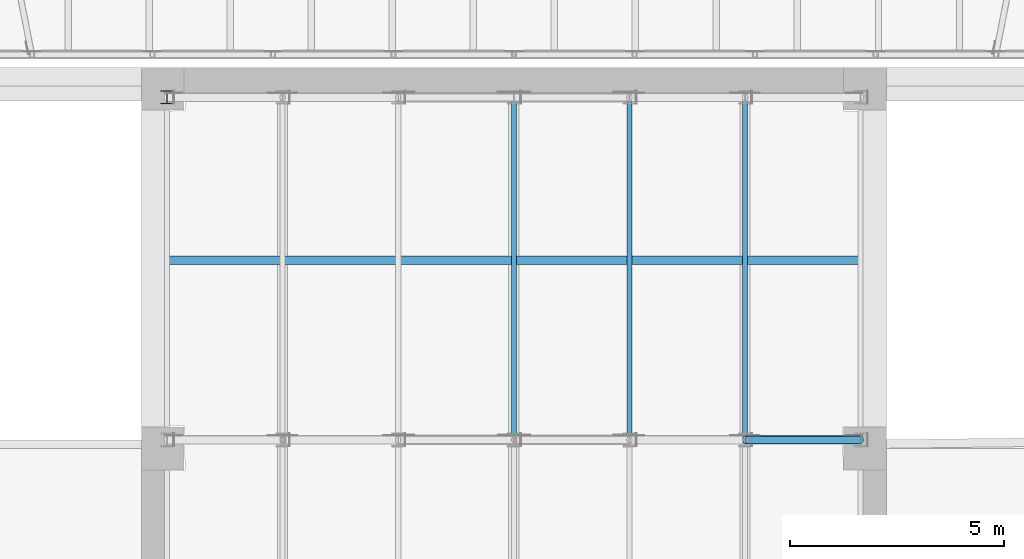
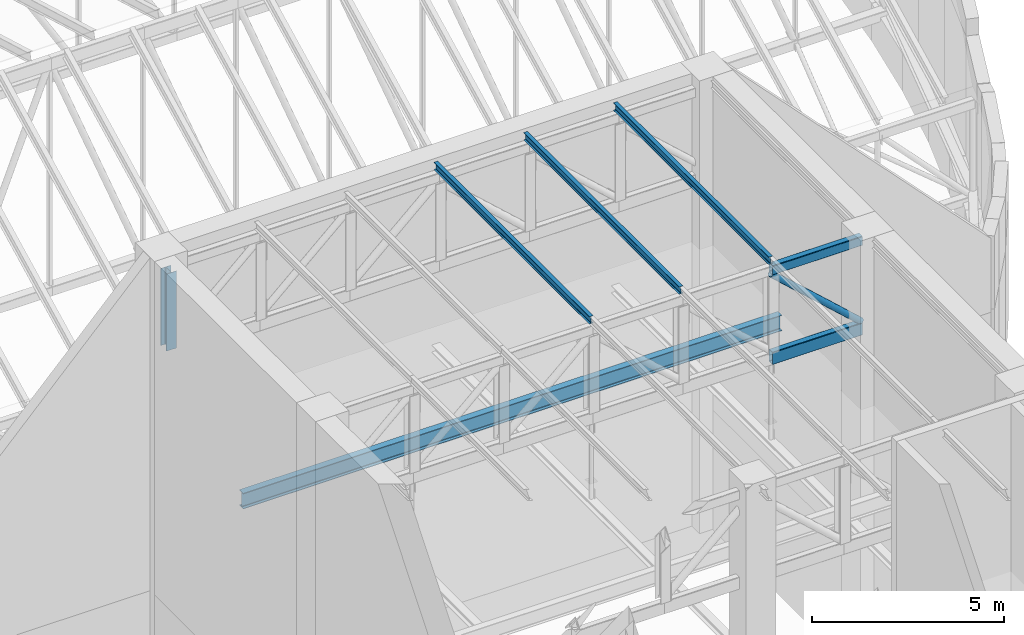
# One storey, part 9 of 68: 5 members, 3 beams.
"""IFC4 building model written with IfcOpenShell, lengths in metres."""

from ifc_helpers import new_model, si_unit, direction, frame, origin, origin_2d, place, context, subcontext, project, spatial, hollow_rectangle, hollow_circle, i_section, extrude, material, material_profile, profile_set, type_object, element, save


model = new_model("IFC4")

# Units and contexts
model_context = context("Model", 3, precision=1e-05, world=origin(), true_north=direction((0.0, 1.0)))
body_context = subcontext(model_context, "Body", "Model", "MODEL_VIEW")
ifc_project = project(units=[si_unit("LENGTHUNIT", "METRE"), si_unit("AREAUNIT", "SQUARE_METRE"), si_unit("VOLUMEUNIT", "CUBIC_METRE"), si_unit("PLANEANGLEUNIT", "RADIAN"), si_unit("MASSUNIT", "GRAM", prefix="KILO")], contexts=[model_context])

# Site, building, storey
site_placement = place(None, origin())
site = spatial("IfcSite", under=ifc_project, at=site_placement, CompositionType="ELEMENT")
building_placement = place(site_placement, origin())
building = spatial("IfcBuilding", under=site, at=building_placement, Name="Larchfold Concert Hall", CompositionType="ELEMENT")
storey_placement = place(building_placement, frame((0.0, 0.0, 28.800048828125)))
storey = spatial("IfcBuildingStorey", under=building, at=storey_placement, Name="L06", CompositionType="ELEMENT", Elevation=28.800048828125)

# Members
ifc_material_1 = material(Name="Steel S355", Category="steel")
ifc_material_profile_1 = material_profile(ifc_material_1, i_section(OverallWidth=0.1201171875, OverallDepth=0.239990234375, WebThickness=0.006103515625, FlangeThickness=0.009765625, FilletRadius=0.014892578125, at=origin_2d()))
ifc_profile_set_1 = profile_set([ifc_material_profile_1], Name="Steel S355")
member_type_1 = type_object("IfcMemberType", Name="Purlin IPE 240", PredefinedType="PURLIN", material=ifc_profile_set_1)
for number, where, z_axis, x_axis, name in (
    (1, (42.60009765625, 51.0, 14.169921875), (0.0, 1.0, 0.0), (-1.0, 0.0, 0.0), "Member SP18"),
    (2, (45.300048828125, 51.0, 14.169921875), (0.0, 1.0, 0.0), (-1.0, 0.0, 0.0), "Member SP19"),
    (3, (48.0, 51.0, 14.169921875), (0.0, 1.0, 0.0), (-1.0, 0.0, 0.0), "Member SP20"),
):
    element("IfcMember", number, at=place(storey_placement, frame(where, z_axis=z_axis, x_axis=x_axis)), inside=storey, type_object=member_type_1, Name=name, PredefinedType="PURLIN", context=body_context, shape_type="SweptSolid", body=[
        extrude(i_section(OverallWidth=0.1201171875, OverallDepth=0.239990234375, WebThickness=0.006103515625, FlangeThickness=0.009765625, FilletRadius=0.014892578125, at=origin_2d()), origin(), (0.0, 0.0, 1.0), 8.10009765625),
    ])

# Beams
ifc_material_2 = material(Name="Steel S355", Category="steel")
ifc_material_profile_2 = material_profile(ifc_material_2, i_section(OverallWidth=0.199951171875, OverallDepth=0.5, WebThickness=0.01025390625, FlangeThickness=0.01611328125, FilletRadius=0.02099609375, at=origin_2d()))
ifc_profile_set_2 = profile_set([ifc_material_profile_2], Name="Steel S355")
beam_type_1 = type_object("IfcBeamType", Name="Steel beam IPE 500", PredefinedType="BEAM", material=ifc_profile_set_2)
beam_1_placement = place(storey_placement, frame((34.5, 55.199951171875, 8.75), z_axis=(1.0, 0.0, 0.0), x_axis=(0.0, 1.0, 0.0)))
element("IfcBeam", 4, at=beam_1_placement, inside=storey, type_object=beam_type_1, Name="Beam GS55", PredefinedType="BEAM", context=body_context, shape_type="SweptSolid", body=[
    extrude(i_section(OverallWidth=0.199951171875, OverallDepth=0.5, WebThickness=0.01025390625, FlangeThickness=0.01611328125, FilletRadius=0.02099609375, at=origin_2d()), origin(), (0.0, 0.0, 1.0), 16.199951171875),
])
ifc_material_3 = material(Name="Steel S355J2H", Category="steel")
ifc_material_profile_3 = material_profile(ifc_material_3, hollow_rectangle(XDim=0.199951171875, YDim=0.300048828125, WallThickness=0.012451171875, InnerFilletRadius=0.018798828125, OuterFilletRadius=0.03125, at=origin_2d()))
ifc_profile_set_3 = profile_set([ifc_material_profile_3], Name="Steel S355J2H")
beam_type_2 = type_object("IfcBeamType", Name="Truss chord RHS 300x200x12.5", PredefinedType="BEAM", material=ifc_profile_set_3)
beam_2_placement = place(storey_placement, frame((48.0, 51.0, 13.89990234375), z_axis=(1.0, 0.0, 0.0), x_axis=(0.0, 1.0, 0.0)))
element("IfcBeam", 5, at=beam_2_placement, inside=storey, type_object=beam_type_2, Name="Beam SR3T06", PredefinedType="BEAM", context=body_context, shape_type="SweptSolid", body=[
    extrude(hollow_rectangle(XDim=0.199951171875, YDim=0.300048828125, WallThickness=0.012451171875, InnerFilletRadius=0.018798828125, OuterFilletRadius=0.03125, at=origin_2d()), origin(), (0.0, 0.0, 1.0), 2.699951171875),
])
ifc_material_4 = material(Name="Steel S355J2H", Category="steel")
ifc_material_profile_4 = material_profile(ifc_material_4, hollow_rectangle(XDim=0.199951171875, YDim=0.39990234375, WallThickness=0.012451171875, InnerFilletRadius=0.018798828125, OuterFilletRadius=0.03125, at=origin_2d()))
ifc_profile_set_4 = profile_set([ifc_material_profile_4], Name="Steel S355J2H")
beam_type_3 = type_object("IfcBeamType", Name="Truss chord RHS 400x200x12.5", PredefinedType="BEAM", material=ifc_profile_set_4)
beam_3_placement = place(storey_placement, frame((48.0, 51.0, 11.099853515625), z_axis=(1.0, 0.0, 0.0), x_axis=(0.0, 1.0, 0.0)))
element("IfcBeam", 6, at=beam_3_placement, inside=storey, type_object=beam_type_3, Name="Beam SR3B06", PredefinedType="BEAM", context=body_context, shape_type="SweptSolid", body=[
    extrude(hollow_rectangle(XDim=0.199951171875, YDim=0.39990234375, WallThickness=0.012451171875, InnerFilletRadius=0.018798828125, OuterFilletRadius=0.03125, at=origin_2d()), origin(), (0.0, 0.0, 1.0), 2.699951171875),
])

# Members
ifc_material_5 = material(Name="Steel S355", Category="steel")
ifc_material_profile_5 = material_profile(ifc_material_5, i_section(OverallWidth=0.300048828125, OverallDepth=0.31005859375, WebThickness=0.009033203125, FlangeThickness=0.015380859375, FilletRadius=0.027099609375, at=origin_2d()))
ifc_profile_set_5 = profile_set([ifc_material_profile_5], Name="Steel S355")
member_type_2 = type_object("IfcMemberType", Name="Truss post HEA 320", PredefinedType="POST", material=ifc_profile_set_5)
member_1_placement = place(storey_placement, frame((34.5, 59.0, 11.300048828125), z_axis=(0.0, 0.0, 1.0), x_axis=(1.0, 0.0, 0.0)))
element("IfcMember", 7, at=member_1_placement, inside=storey, type_object=member_type_2, Name="Member SR4V01", PredefinedType="POST", context=body_context, shape_type="SweptSolid", body=[
    extrude(i_section(OverallWidth=0.300048828125, OverallDepth=0.31005859375, WebThickness=0.009033203125, FlangeThickness=0.015380859375, FilletRadius=0.027099609375, at=origin_2d()), origin(), (0.0, 0.0, 1.0), 2.449951171875),
])
ifc_material_6 = material(Name="Steel S355J2H", Category="steel")
ifc_material_profile_6 = material_profile(ifc_material_6, hollow_circle(Radius=0.096923828125, WallThickness=0.008056640625, at=origin_2d()))
ifc_profile_set_6 = profile_set([ifc_material_profile_6], Name="Steel S355J2H")
member_type_3 = type_object("IfcMemberType", Name="Truss web CHS 193.7x8", PredefinedType="BRACE", material=ifc_profile_set_6)
member_2_placement = place(storey_placement, frame((48.0, 51.0, 13.75), z_axis=(0.740560922263, 0.0, -0.671989226414), x_axis=(0.0, 1.0, 0.0)))
element("IfcMember", 8, at=member_2_placement, inside=storey, type_object=member_type_3, Name="Member SR3D06", PredefinedType="BRACE", context=body_context, shape_type="SweptSolid", body=[
    extrude(hollow_circle(Radius=0.096923828125, WallThickness=0.008056640625, at=origin_2d()), origin(), (0.0, 0.0, 1.0), 3.645751953125),
])

save(model, "model.ifc")
